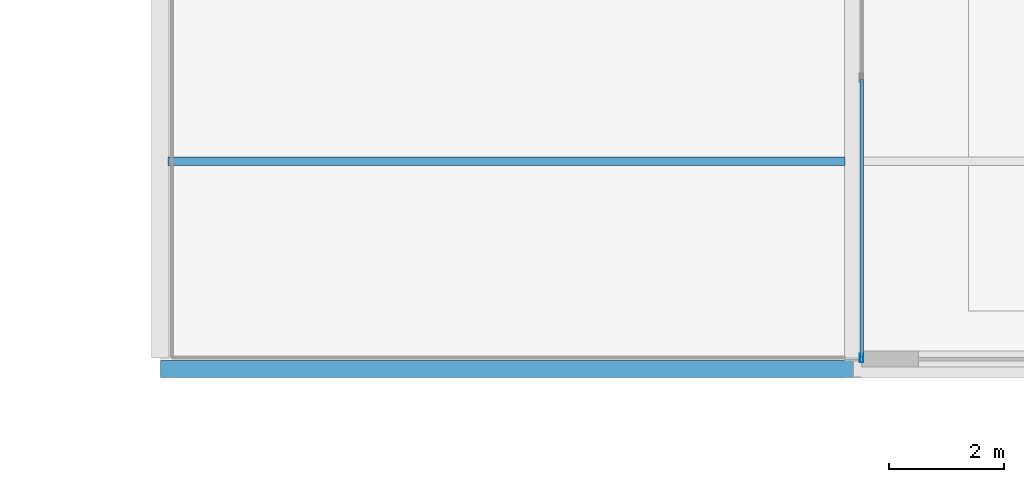
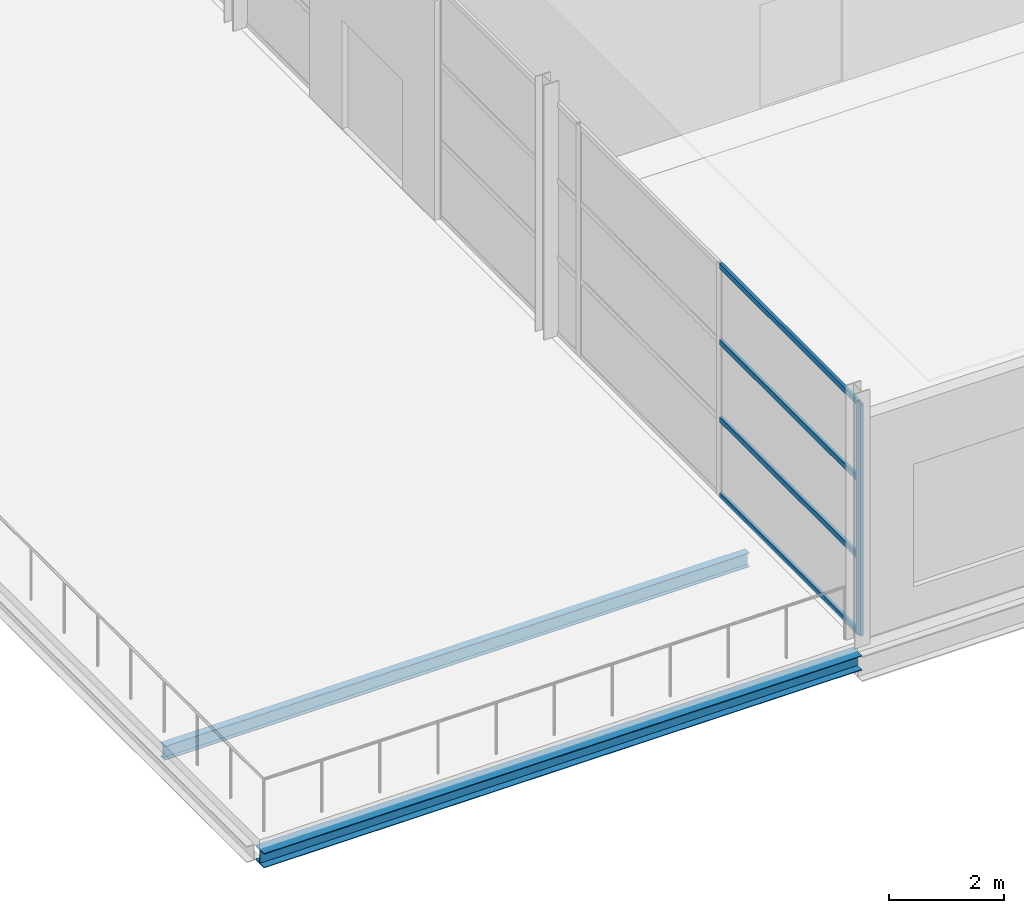
# One storey, part 4 of 34: 5 members, 2 beams, 1 element without a shape of its own.
"""IFC4 building model written with IfcOpenShell, lengths in metres."""

from ifc_helpers import new_model, si_unit, direction, frame, origin, origin_2d, place, context, subcontext, project, spatial, hollow_rectangle, i_section, extrude, material, layer, layer_set, material_profile, profile_set, type_object, element, aggregate, save


model = new_model("IFC4")

# Units and contexts
model_context = context("Model", 3, precision=1e-05, world=origin(), true_north=direction((0.0, 1.0)))
body_context = subcontext(model_context, "Body", "Model", "MODEL_VIEW")
ifc_project = project(units=[si_unit("LENGTHUNIT", "METRE"), si_unit("AREAUNIT", "SQUARE_METRE"), si_unit("VOLUMEUNIT", "CUBIC_METRE"), si_unit("PLANEANGLEUNIT", "RADIAN"), si_unit("MASSUNIT", "GRAM", prefix="KILO")], contexts=[model_context])

# Site, building, storey
site_placement = place(None, origin())
site = spatial("IfcSite", under=ifc_project, at=site_placement, CompositionType="ELEMENT")
building_placement = place(site_placement, origin())
building = spatial("IfcBuilding", under=site, at=building_placement, Name="Tamarisk Ironworks Central Station", CompositionType="ELEMENT")
storey_placement = place(building_placement, frame((0.0, 0.0, 25.199951171875)))
storey = spatial("IfcBuildingStorey", under=building, at=storey_placement, Name="L05", CompositionType="ELEMENT", Elevation=25.199951171875)

# Beams
ifc_material_1 = material(Name="Structural steel S355J2", Category="steel")
ifc_material_profile_1 = material_profile(ifc_material_1, i_section(OverallWidth=0.14990234375, OverallDepth=0.300048828125, WebThickness=0.007080078125, FlangeThickness=0.0107421875, at=origin_2d()), Name="IPE 300")
ifc_profile_set_1 = profile_set([ifc_material_profile_1], Name="Structural steel S355J2")
beam_type_1 = type_object("IfcBeamType", Name="BM-B07", PredefinedType="BEAM", material=ifc_profile_set_1)
beam_1_placement = place(storey_placement, frame((128.135009765625, 93.60009765625, -0.349853515625), z_axis=(1.0, 0.0, 0.0), x_axis=(0.0, 1.0, 0.0)))
element("IfcBeam", 1, at=beam_1_placement, inside=storey, type_object=beam_type_1, Name="L05 secondary composite beam 0262", PredefinedType="BEAM", context=body_context, shape_type="SweptSolid", body=[
    extrude(i_section(OverallWidth=0.14990234375, OverallDepth=0.300048828125, WebThickness=0.007080078125, FlangeThickness=0.0107421875, at=origin_2d()), origin(), (0.0, 0.0, 1.0), 11.72998046875),
])
ifc_material_profile_2 = material_profile(ifc_material_1, i_section(OverallWidth=0.300048828125, OverallDepth=0.31005859375, WebThickness=0.009033203125, FlangeThickness=0.015380859375, at=origin_2d()), Name="HEA 320")
ifc_profile_set_2 = profile_set([ifc_material_profile_2], Name="Structural steel S355J2")
beam_type_2 = type_object("IfcBeamType", Name="BM-G09", PredefinedType="BEAM", material=ifc_profile_set_2)
beam_2_placement = place(storey_placement, frame((128.00390625, 90.0, -0.35498046875), z_axis=(1.0, 0.0, 0.0), x_axis=(0.0, 1.0, 0.0)))
element("IfcBeam", 2, at=beam_2_placement, inside=storey, type_object=beam_type_2, Name="L05 primary girder X-0752", PredefinedType="BEAM", context=body_context, shape_type="SweptSolid", body=[
    extrude(i_section(OverallWidth=0.300048828125, OverallDepth=0.31005859375, WebThickness=0.009033203125, FlangeThickness=0.015380859375, at=origin_2d()), origin(), (0.0, 0.0, 1.0), 11.9921875),
])

# Curtain wall, members
ifc_material_2 = material(Name="Anodized aluminium alloy 6063-T6", Category="aluminium")
ifc_layer = layer(ifc_material_2, 0.179931640625)
ifc_layer_set = layer_set([ifc_layer], Name="Anodized aluminium alloy 6063-T6")
curtain_wall_type = type_object("IfcCurtainWallType", Name="CW-20", PredefinedType="USERDEFINED", material=ifc_layer_set)
curtain_wall_placement = place(storey_placement, origin())
curtain_wall = element("IfcCurtainWall", 3, at=curtain_wall_placement, inside=storey, type_object=curtain_wall_type, Name="Crown terrace overlook curtain wall L05-158", ObjectType="GLAZED CURTAIN WALL", PredefinedType="USERDEFINED")
ifc_material_profile_3 = material_profile(ifc_material_2, hollow_rectangle(XDim=0.06005859375, YDim=0.14990234375, WallThickness=0.00341796875, at=origin_2d()), Name="ALUM 150x60")
ifc_profile_set_3 = profile_set([ifc_material_profile_3], Name="Anodized aluminium alloy 6063-T6")
member_type_1 = type_object("IfcMemberType", Name="CWM-03", PredefinedType="MULLION", material=ifc_profile_set_3)
member_1_placement = place(storey_placement, frame((140.14990234375, 90.18798828125, 0.0), z_axis=(0.0, 0.0, 1.0), x_axis=(-1.0, 0.0, 0.0)))
member_1 = element("IfcMember", 4, at=member_1_placement, type_object=member_type_1, Name="CW20 mullion 1", PredefinedType="MULLION", context=body_context, shape_type="SweptSolid", body=[
    extrude(hollow_rectangle(XDim=0.06005859375, YDim=0.14990234375, WallThickness=0.00341796875, at=origin_2d()), origin(), (0.0, 0.0, 1.0), 4.920166015625),
])
ifc_material_profile_4 = material_profile(ifc_material_2, hollow_rectangle(XDim=0.06005859375, YDim=0.114990234375, WallThickness=0.00341796875, at=origin_2d()), Name="ALUM 115x60")
ifc_profile_set_4 = profile_set([ifc_material_profile_4], Name="Anodized aluminium alloy 6063-T6")
member_type_2 = type_object("IfcMemberType", Name="CWT-03", PredefinedType="USERDEFINED", material=ifc_profile_set_4)
member_2_placement = place(storey_placement, frame((140.14990234375, 90.214111328125, 0.030029296875), z_axis=(0.0, 1.0, 0.0), x_axis=(-1.0, 0.0, 0.0)))
member_2 = element("IfcMember", 5, at=member_2_placement, type_object=member_type_2, Name="CW20 transom 1.1", ObjectType="TRANSOM", PredefinedType="USERDEFINED", context=body_context, shape_type="SweptSolid", body=[
    extrude(hollow_rectangle(XDim=0.06005859375, YDim=0.114990234375, WallThickness=0.00341796875, at=origin_2d()), origin(), (0.0, 0.0, 1.0), 4.798583984375),
])
member_3_placement = place(storey_placement, frame((140.14990234375, 90.214111328125, 1.64013671875), z_axis=(0.0, 1.0, 0.0), x_axis=(-1.0, 0.0, 0.0)))
member_3 = element("IfcMember", 6, at=member_3_placement, type_object=member_type_2, Name="CW20 transom 1.2", ObjectType="TRANSOM", PredefinedType="USERDEFINED", context=body_context, shape_type="SweptSolid", body=[
    extrude(hollow_rectangle(XDim=0.06005859375, YDim=0.114990234375, WallThickness=0.00341796875, at=origin_2d()), origin(), (0.0, 0.0, 1.0), 4.798583984375),
])
member_4_placement = place(storey_placement, frame((140.14990234375, 90.214111328125, 3.280029296875), z_axis=(0.0, 1.0, 0.0), x_axis=(-1.0, 0.0, 0.0)))
member_4 = element("IfcMember", 7, at=member_4_placement, type_object=member_type_2, Name="CW20 transom 1.3", ObjectType="TRANSOM", PredefinedType="USERDEFINED", context=body_context, shape_type="SweptSolid", body=[
    extrude(hollow_rectangle(XDim=0.06005859375, YDim=0.114990234375, WallThickness=0.00341796875, at=origin_2d()), origin(), (0.0, 0.0, 1.0), 4.798583984375),
])
member_5_placement = place(storey_placement, frame((140.14990234375, 90.214111328125, 4.89013671875), z_axis=(0.0, 1.0, 0.0), x_axis=(-1.0, 0.0, 0.0)))
member_5 = element("IfcMember", 8, at=member_5_placement, type_object=member_type_2, Name="CW20 transom 1.4", ObjectType="TRANSOM", PredefinedType="USERDEFINED", context=body_context, shape_type="SweptSolid", body=[
    extrude(hollow_rectangle(XDim=0.06005859375, YDim=0.114990234375, WallThickness=0.00341796875, at=origin_2d()), origin(), (0.0, 0.0, 1.0), 4.798583984375),
])
aggregate(curtain_wall, [member_1, member_2, member_3, member_4, member_5])

save(model, "model.ifc")
